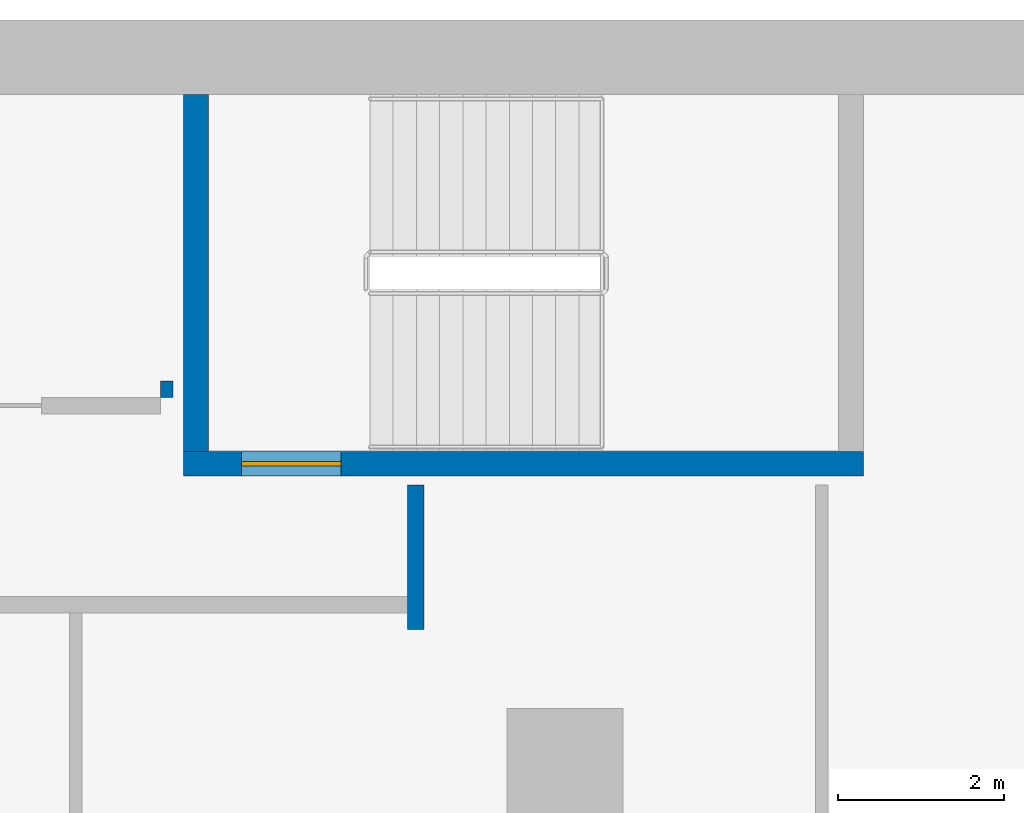
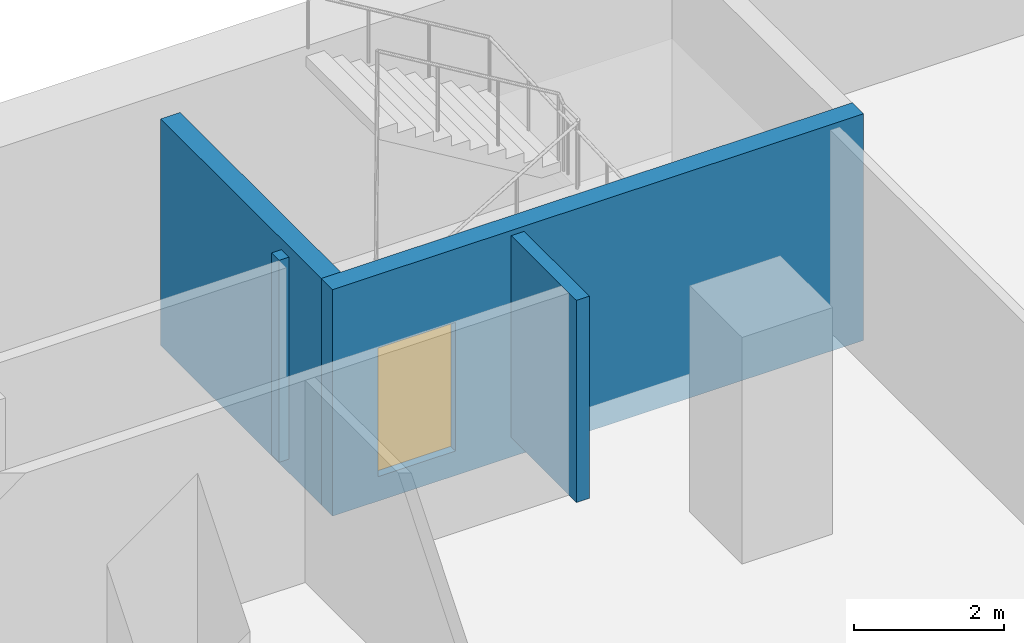
# One storey, part 17 of 29: 4 walls, 1 door, 1 opening.
"""IFC4 building model written with IfcOpenShell, lengths in metres."""

from ifc_helpers import new_model, si_unit, direction, frame, frame_2d, origin, place, context, subcontext, project, spatial, rectangle, extrude, material, layer, layer_set, type_object, element, fill, save


model = new_model("IFC4")

# Units and contexts
model_context = context("Model", 3, precision=1e-05, world=origin(), true_north=direction((0.0, 1.0)))
body_context = subcontext(model_context, "Body", "Model", "MODEL_VIEW")
ifc_project = project(units=[si_unit("LENGTHUNIT", "METRE"), si_unit("AREAUNIT", "SQUARE_METRE"), si_unit("VOLUMEUNIT", "CUBIC_METRE"), si_unit("PLANEANGLEUNIT", "RADIAN"), si_unit("MASSUNIT", "GRAM", prefix="KILO")], contexts=[model_context])

# Site, building, storey
site_placement = place(None, origin())
site = spatial("IfcSite", under=ifc_project, at=site_placement, CompositionType="ELEMENT")
building_placement = place(site_placement, origin())
building = spatial("IfcBuilding", under=site, at=building_placement, Name="Hunhe Ridgeline Campus", CompositionType="ELEMENT")
storey_placement = place(building_placement, frame((0.0, 0.0, 69.10009765625)))
storey = spatial("IfcBuildingStorey", under=building, at=storey_placement, Name="L16", CompositionType="ELEMENT", Elevation=69.10009765625)

# Walls
ifc_material_1 = material(Name="Gypsum board partition")
ifc_layer_1 = layer(ifc_material_1, 0.199951171875)
ifc_layer_set_1 = layer_set([ifc_layer_1], Name="Corridor partition 200 gypsum board on steel studs")
wall_type_1 = type_object("IfcWallType", Name="Corridor partition 200 gypsum board on steel studs", PredefinedType="PARTITIONING", material=ifc_layer_set_1)
wall_1_placement = place(storey_placement, frame((52.199951171875, 93.39599609375, 0.0), z_axis=(0.0, 0.0, 1.0), x_axis=(0.0, -1.0, 0.0)))
element("IfcWall", 1, at=wall_1_placement, inside=storey, type_object=wall_type_1, Name="F-L16-wall-064", PredefinedType="PARTITIONING", context=body_context, shape_type="SweptSolid", body=[
    extrude(rectangle(XDim=1.74609375, YDim=0.199951171875, at=frame_2d((0.873046875, 0.0))), origin(), (0.0, 0.0, 1.0), 3.2998046875),
])
ifc_layer_2 = layer(ifc_material_1, 0.14990234375)
ifc_layer_set_2 = layer_set([ifc_layer_2], Name="Room partition 150 gypsum board on steel studs")
wall_type_2 = type_object("IfcWallType", Name="Room partition 150 gypsum board on steel studs", PredefinedType="PARTITIONING", material=ifc_layer_set_2)
wall_2_placement = place(storey_placement, frame((49.199951171875, 94.64990234375, 0.0), z_axis=(0.0, 0.0, 1.0), x_axis=(0.0, -1.0, 0.0)))
element("IfcWall", 2, at=wall_2_placement, inside=storey, type_object=wall_type_2, Name="F-L16-wall-063", PredefinedType="PARTITIONING", context=body_context, shape_type="SweptSolid", body=[
    extrude(rectangle(XDim=0.199951171875, YDim=0.14990234375, at=frame_2d((0.10009765625, 0.0))), origin(), (0.0, 0.0, 1.0), 3.2998046875),
])

# Wall, opening, door
ifc_material_2 = material(Name="Concrete C80", Category="concrete")
ifc_layer_3 = layer(ifc_material_2, 0.300048828125)
ifc_layer_set_3 = layer_set([ifc_layer_3], Name="Stair wall 300 reinforced concrete C80")
wall_type_3 = type_object("IfcWallType", Name="Stair wall 300 reinforced concrete C80", PredefinedType="SOLIDWALL", material=ifc_layer_set_3)
wall_3_placement = place(storey_placement, frame((49.39990234375, 93.64990234375, -0.400146484375), z_axis=(0.0, 0.0, 1.0), x_axis=(1.0, 0.0, 0.0)))
wall_3 = element("IfcWall", 3, at=wall_3_placement, inside=storey, type_object=wall_type_3, Name="L16 core wall 33", PredefinedType="SOLIDWALL", context=body_context, shape_type="SweptSolid", body=[
    extrude(rectangle(XDim=8.2001953125, YDim=0.300048828125, at=frame_2d((4.10009765625, 0.0))), origin(), (0.0, 0.0, 1.0), 3.699951171875),
])
opening_placement = place(wall_3_placement, frame((0.699951171875, 0.0, 0.39990234375)))
opening = element("IfcOpeningElement", 4, at=opening_placement, cuts=wall_3, Name="Opening CD18", PredefinedType="OPENING", context=body_context, shape_type="SweptSolid", body=[
    extrude(rectangle(XDim=1.199951171875, YDim=2.10009765625, at=frame_2d((0.60009765625, 1.050048828125))), frame((0.0, 0.14990234375, 0.0), z_axis=(0.0, -1.0, 0.0), x_axis=(1.0, 0.0, 0.0)), (0.0, 0.0, 1.0), 0.300048828125),
])
ifc_material_3 = material(Name="Hollow metal fire door leaf")
door_type = type_object("IfcDoorType", Name="Stair door 1200x2100 FD60", OperationType="SINGLE_SWING_LEFT", PredefinedType="DOOR", material=ifc_material_3)
door_placement = place(opening_placement, frame((1.199951171875, 0.0, 0.0), z_axis=(0.0, 0.0, 1.0), x_axis=(-1.0, 0.0, 0.0)))
door = element("IfcDoor", 5, at=door_placement, inside=storey, type_object=door_type, Name="L16 door E2", OperationType="SINGLE_SWING_LEFT", OverallHeight=2.10009765625, OverallWidth=1.199951171875, PredefinedType="DOOR", context=body_context, shape_type="SweptSolid", body=[
    extrude(rectangle(XDim=1.199951171875, YDim=2.10009765625, at=frame_2d((0.60009765625, 1.050048828125))), frame((0.0, 0.02490234375, 0.0), z_axis=(0.0, -1.0, 0.0), x_axis=(1.0, 0.0, 0.0)), (0.0, 0.0, 1.0), 0.050048828125),
])
fill(opening, door)

# Wall
wall_4_placement = place(storey_placement, frame((49.550048828125, 93.800048828125, -0.400146484375), z_axis=(0.0, 0.0, 1.0), x_axis=(0.0, 1.0, 0.0)))
element("IfcWall", 6, at=wall_4_placement, inside=storey, type_object=wall_type_3, Name="L16 core wall 67", PredefinedType="SOLIDWALL", context=body_context, shape_type="SweptSolid", body=[
    extrude(rectangle(XDim=4.300048828125, YDim=0.300048828125, at=frame_2d((2.14990234375, 0.0))), origin(), (0.0, 0.0, 1.0), 3.699951171875),
])

save(model, "model.ifc")
